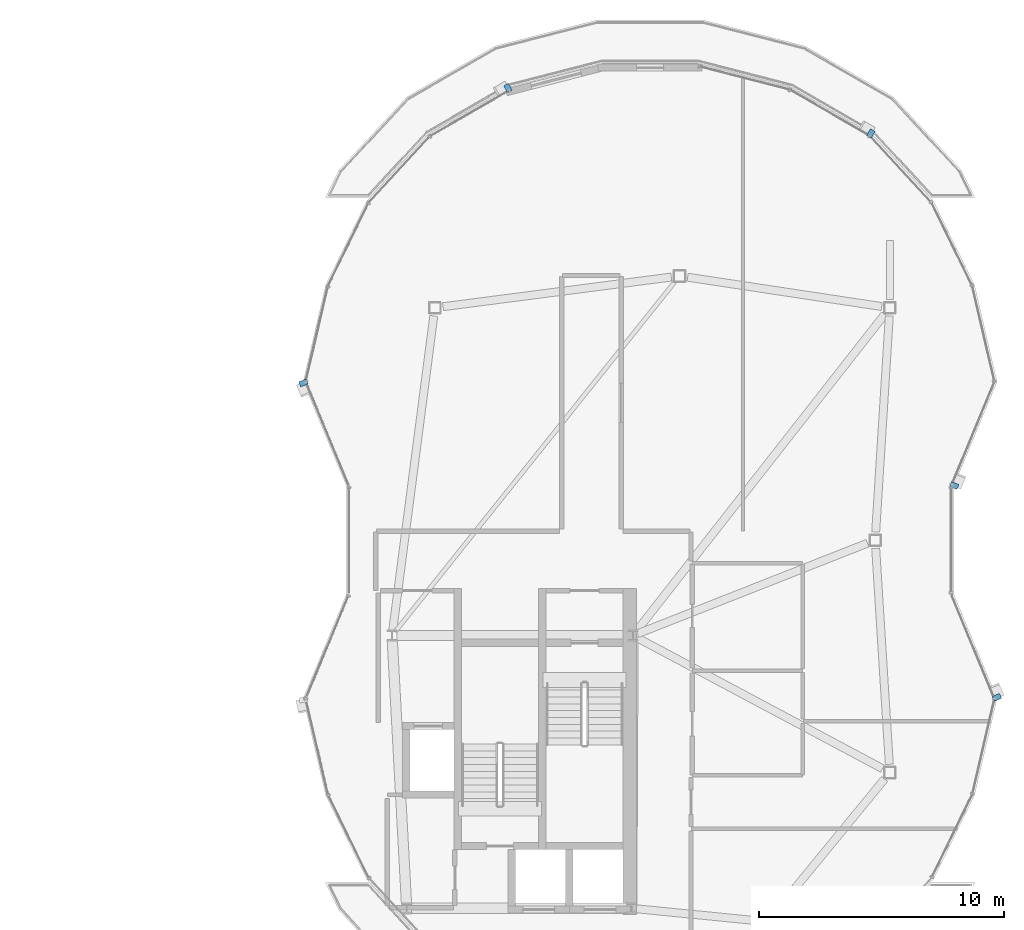
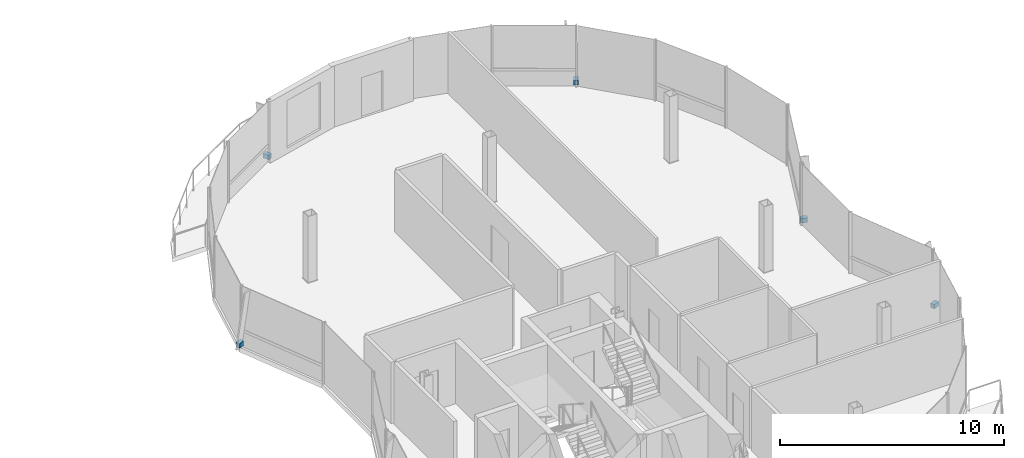
# One storey, part 16 of 20: 5 discrete accessories.
"""IFC4 building model written with IfcOpenShell, lengths in metres."""

import ifcopenshell
import ifcopenshell.guid

model = None  # the IFC model being written
_history = None  # IfcOwnerHistory: only IFC2X3 demands one
_inside = {}  # id of a spatial element -> (the spatial element, [elements in it])
_under = {}  # id of a project, library or spatial element -> (it, [spatial elements below it])
_declared = {}  # id of a project -> (the project, [libraries it declares])
_typed = {}  # id of a type object -> (the type object, [elements of that type])
_made_of = {}  # id of a material, layer set ... -> (it, [elements and type objects made of it])


def new_model(schema):
    """Start an empty IFC model of exactly this schema.

    Asked for "IFC4X3", IfcOpenShell would pick the latest addendum, in which some entities
    have other attributes; the version numbers below select the first issue.
    IFC2X3 requires an IfcOwnerHistory on every rooted entity: one is made here for all.
    """
    global model, _history
    if schema == "IFC4X3":
        model = ifcopenshell.file(schema_version=(4, 3, 0, 0))
    else:
        model = ifcopenshell.file(schema=schema)
    _inside.clear()
    _under.clear()
    _declared.clear()
    _typed.clear()
    _made_of.clear()
    _history = None
    if model.schema == "IFC2X3":
        org = make("IfcOrganization", Name="unknown")
        user = make(
            "IfcPersonAndOrganization",
            ThePerson=make("IfcPerson", FamilyName="unknown"),
            TheOrganization=org,
        )
        app = make(
            "IfcApplication",
            ApplicationDeveloper=org,
            Version="unknown",
            ApplicationFullName="unknown",
            ApplicationIdentifier="unknown",
        )
        _history = make(
            "IfcOwnerHistory",
            OwningUser=user,
            OwningApplication=app,
            ChangeAction="ADDED",
            CreationDate=0,
        )
    return model


def make(cls, **values):
    """One entity of the class cls with the attributes given. An attribute that is None is left unset."""
    return model.create_entity(
        cls, **{name: value for name, value in values.items() if value is not None}
    )


def rooted(cls, **values):
    """An entity with a GlobalId (a new one), such as an element, a storey or a relation."""
    return make(cls, GlobalId=ifcopenshell.guid.new(), OwnerHistory=_history, **values)


def si_unit(unit_type, name, prefix=None):
    """IfcSIUnit, for example si_unit("LENGTHUNIT", "METRE", prefix="MILLI")."""
    return make("IfcSIUnit", UnitType=unit_type, Prefix=prefix, Name=name)


def assignment(units):
    """IfcUnitAssignment: the units of a project."""
    return None if units is None else make("IfcUnitAssignment", Units=units)


def point(xyz):
    """IfcCartesianPoint."""
    return None if xyz is None else make("IfcCartesianPoint", Coordinates=xyz)


def direction(xyz):
    """IfcDirection."""
    return None if xyz is None else make("IfcDirection", DirectionRatios=xyz)


def frame(location, z_axis=None, x_axis=None):
    """IfcAxis2Placement3D, a coordinate frame: its origin and axes. An axis left out is left unset."""
    return make(
        "IfcAxis2Placement3D",
        Location=point(location),
        Axis=direction(z_axis),
        RefDirection=direction(x_axis),
    )


def frame_2d(location, x_axis=None):
    """IfcAxis2Placement2D, a coordinate frame in the plane: its origin and x axis."""
    return make(
        "IfcAxis2Placement2D", Location=point(location), RefDirection=direction(x_axis)
    )


def origin():
    """The frame at (0, 0, 0) with its axes left unset."""
    return frame((0.0, 0.0, 0.0))


def origin_2d():
    """The frame at (0, 0) in the plane with its x axis left unset."""
    return frame_2d((0.0, 0.0))


def place(relative_to, where):
    """IfcLocalPlacement: puts the frame where relative to a parent placement (None: the world)."""
    return make(
        "IfcLocalPlacement", PlacementRelTo=relative_to, RelativePlacement=where
    )


def context(
    kind, dimensions, precision=None, world=None, true_north=None, identifier=None
):
    """IfcGeometricRepresentationContext, for example the 3D "Model" context."""
    return make(
        "IfcGeometricRepresentationContext",
        ContextIdentifier=identifier,
        ContextType=kind,
        CoordinateSpaceDimension=dimensions,
        Precision=precision,
        WorldCoordinateSystem=world,
        TrueNorth=true_north,
    )


def subcontext(parent, identifier, kind, view, scale=None):
    """IfcGeometricRepresentationSubContext, for example "Body" below "Model"."""
    return make(
        "IfcGeometricRepresentationSubContext",
        ContextIdentifier=identifier,
        ContextType=kind,
        ParentContext=parent,
        TargetScale=scale,
        TargetView=view,
    )


def project(units=None, contexts=None):
    """IfcProject with its units and contexts."""
    return rooted(
        "IfcProject",
        Name="project",
        RepresentationContexts=contexts,
        UnitsInContext=assignment(units),
    )


def spatial(cls, under=None, at=None, **own):
    """A site, building, storey or space (cls), placed at a placement, below another one or the project."""
    s = rooted(cls, ObjectPlacement=at, **own)
    if under is not None:
        _under.setdefault(under.id(), (under, []))[1].append(s)
    return s


def profile(cls, at=None, kind="AREA", **sizes):
    """A parametric profile (cls). Its sizes go by their IFC names, for example OverallWidth=200.0."""
    return make(cls, ProfileType=kind, Position=at, **sizes)


def rectangle(**sizes):
    """IfcRectangleProfileDef."""
    return profile("IfcRectangleProfileDef", **sizes)


def extrude(swept, where, along, depth):
    """IfcExtrudedAreaSolid: the profile swept, set in the frame where, extruded along a direction by depth."""
    return make(
        "IfcExtrudedAreaSolid",
        SweptArea=swept,
        Position=where,
        ExtrudedDirection=direction(along),
        Depth=depth,
    )


def shape(context_of_items, identifier, shape_type, items):
    """IfcShapeRepresentation: the items that make up one representation, for example the "Body"."""
    return make(
        "IfcShapeRepresentation",
        ContextOfItems=context_of_items,
        RepresentationIdentifier=identifier,
        RepresentationType=shape_type,
        Items=items,
    )


def material(Name=None, Category=None):
    """IfcMaterial."""
    return make("IfcMaterial", Name=Name, Category=Category)


def made_of(thing, what):
    """Note that an element or type object is made of a material, layer set ...; save() writes the relation."""
    if what is not None:
        _made_of.setdefault(what.id(), (what, []))[1].append(thing)
    return thing


def type_object(cls, material=None, **own):
    """A type object (cls), such as IfcWallType, which elements share."""
    return made_of(rooted(cls, **own), material)


def element(
    cls,
    number,
    at=None,
    inside=None,
    cuts=None,
    type_object=None,
    material=None,
    context=None,
    identifier="Body",
    shape_type=None,
    held_by="IfcProductDefinitionShape",
    body=None,
    shapes=None,
    **own,
):
    """One element of the class cls, such as IfcWall. Its Tag is "e" and its number.

    at: its placement. inside: the storey or other place that contains it. cuts: it is an
    opening in that element (IfcRelVoidsElement). A single representation is given by context,
    identifier, shape_type and body (its items); several are given by shapes. held_by: the class
    of the entity that holds the representations. save() writes the other relations.
    """
    e = rooted(cls, Tag="e%d" % number, ObjectPlacement=at, **own)
    if body is not None:
        shapes = [shape(context, identifier, shape_type, body)]
    if shapes is not None:
        e.Representation = make(held_by, Representations=shapes)
    if inside is not None:
        _inside.setdefault(inside.id(), (inside, []))[1].append(e)
    if cuts is not None:
        rooted(
            "IfcRelVoidsElement", RelatingBuildingElement=cuts, RelatedOpeningElement=e
        )
    if type_object is not None:
        _typed.setdefault(type_object.id(), (type_object, []))[1].append(e)
    return made_of(e, material)


def aggregate(whole, parts):
    """IfcRelAggregates: a whole, such as a stair, and the parts it consists of."""
    return rooted("IfcRelAggregates", RelatingObject=whole, RelatedObjects=parts)


def save(model, path):
    """Write the relations noted so far, then the file.

    IfcRelAggregates (storeys below a building ...), IfcRelContainedInSpatialStructure (elements
    in a storey), IfcRelDefinesByType, IfcRelAssociatesMaterial and IfcRelDeclares: one each for
    every whole, place, type object, material and project.
    """
    for whole, parts in _under.values():
        aggregate(whole, parts)
    for where, things in _inside.values():
        rooted(
            "IfcRelContainedInSpatialStructure",
            RelatedElements=things,
            RelatingStructure=where,
        )
    for kind, things in _typed.values():
        rooted("IfcRelDefinesByType", RelatedObjects=things, RelatingType=kind)
    for what, things in _made_of.values():
        rooted("IfcRelAssociatesMaterial", RelatedObjects=things, RelatingMaterial=what)
    for by, libraries in _declared.values():
        rooted("IfcRelDeclares", RelatingContext=by, RelatedDefinitions=libraries)
    model.write(path)


model = new_model("IFC4")

# Units and contexts
model_context = context("Model", 3, precision=1e-05, world=origin(), true_north=direction((0.0, 1.0)))
body_context = subcontext(model_context, "Body", "Model", "MODEL_VIEW")
ifc_project = project(units=[si_unit("LENGTHUNIT", "METRE"), si_unit("AREAUNIT", "SQUARE_METRE"), si_unit("VOLUMEUNIT", "CUBIC_METRE"), si_unit("PLANEANGLEUNIT", "RADIAN"), si_unit("MASSUNIT", "GRAM", prefix="KILO"), si_unit("THERMODYNAMICTEMPERATUREUNIT", "KELVIN"), si_unit("POWERUNIT", "WATT")], contexts=[model_context])

# Site, building, storey
site_placement = place(None, origin())
site = spatial("IfcSite", under=ifc_project, at=site_placement, CompositionType="ELEMENT")
building_placement = place(site_placement, origin())
building = spatial("IfcBuilding", under=site, at=building_placement, Name="Cundina Bronze Exchange", CompositionType="ELEMENT")
storey_placement = place(building_placement, frame((0.0, 0.0, 282.800048828125)))
storey = spatial("IfcBuildingStorey", under=building, at=storey_placement, Name="L75", CompositionType="ELEMENT", Elevation=282.800048828125)

# Discrete accessories
ifc_material = material(Name="Anodised Bronze Aluminium 6063-T6", Category="aluminium")
discrete_accessory_type = type_object("IfcDiscreteAccessoryType", Name="ACC-BRK-FIN", PredefinedType="BRACKET", material=ifc_material)
for number, where, z_axis, x_axis, name in (
    (1, (44.436767578125, 2.233154296875, 0.10009765625), (0.0, 0.0, 1.0), (0.383231606105, 0.923652280938, 0.0), "L75 Fin Support Bracket 1"),
    (2, (41.021484375, 16.62744140625, 0.10009765625), (0.0, 0.0, 1.0), (-0.865308932118, 0.501238917081, 0.0), "L75 Fin Support Bracket 5"),
    (3, (26.186767578125, 18.48583984375, 0.10009765625), (0.0, 0.0, 1.0), (-0.865308932118, -0.501238917081, 0.0), "L75 Fin Support Bracket 1"),
    (4, (17.8232421875, 6.427001953125, 0.10009765625), (0.0, 0.0, 1.0), (0.383231606105, -0.923652280938, 0.0), "L75 Fin Support Bracket 5"),
    (5, (46.1767578125, -6.427001953125, 0.10009765625), (0.0, 0.0, 1.0), (-0.383231606105, 0.923652280938, 0.0), "L75 Fin Support Bracket 5"),
):
    element("IfcDiscreteAccessory", number, at=place(storey_placement, frame(where, z_axis=z_axis, x_axis=x_axis)), inside=storey, type_object=discrete_accessory_type, Name=name, PredefinedType="BRACKET", context=body_context, shape_type="SweptSolid", body=[
        extrude(rectangle(XDim=0.219970703125, YDim=0.320068359375, at=origin_2d()), origin(), (0.0, 0.0, 1.0), 0.239990234375),
    ])

save(model, "model.ifc")
